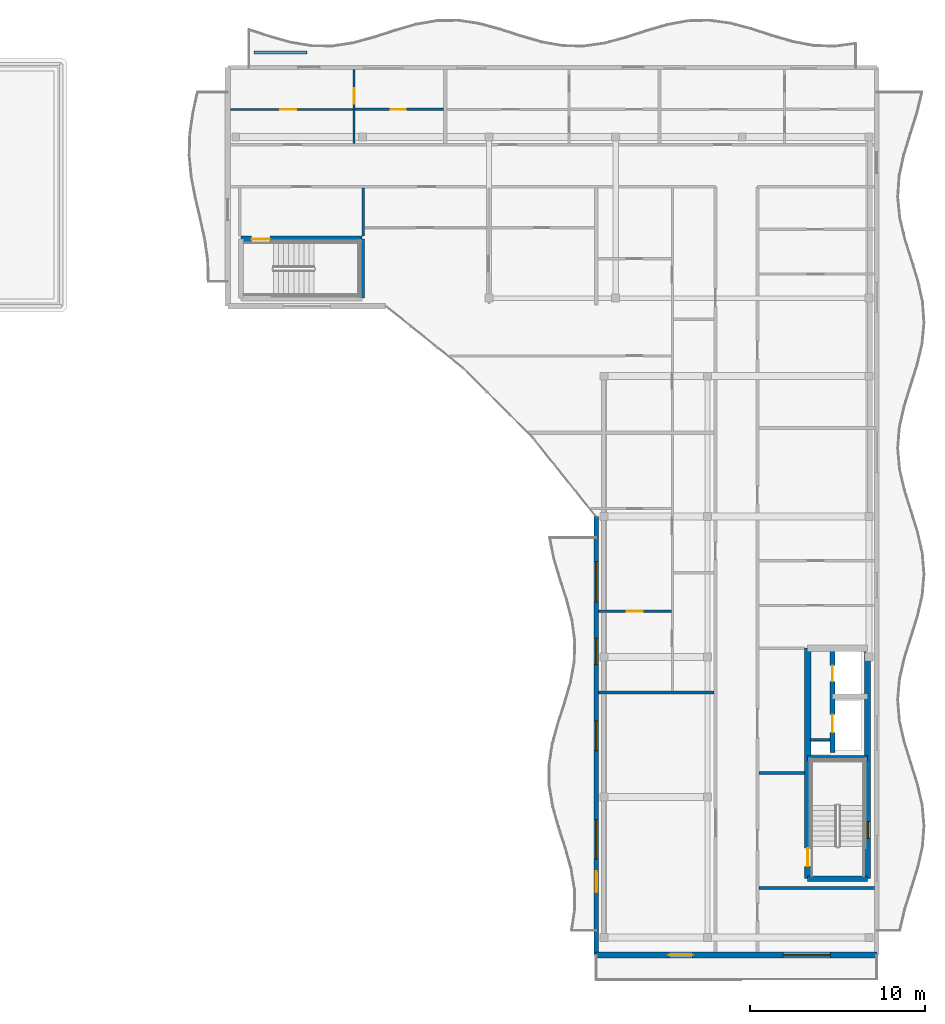
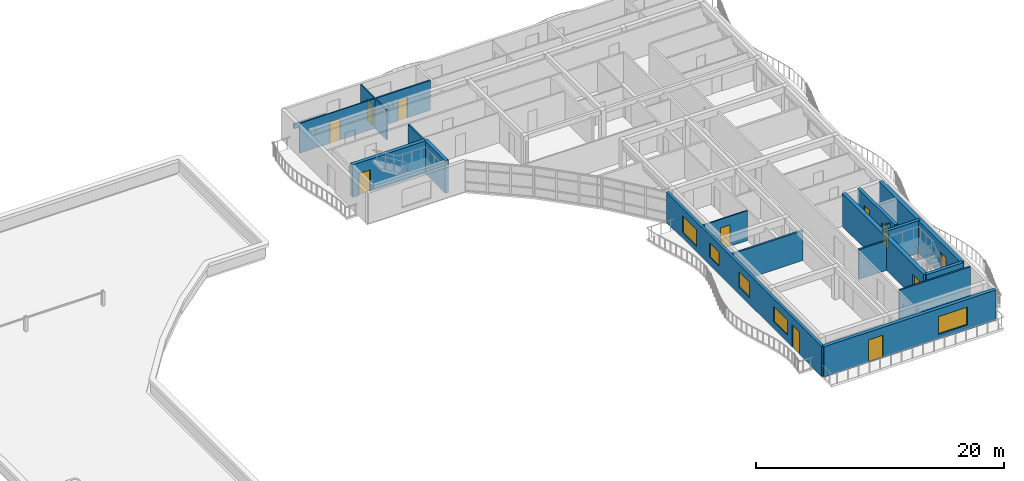
# One storey, part 10 of 18: 19 walls, 10 doors, 6 windows, 16 openings.
"""IFC4 building model written with IfcOpenShell, lengths in metres."""

from ifc_helpers import new_model, si_unit, direction, frame, frame_2d, origin, place, context, subcontext, project, spatial, rectangle, extrude, material, layer, layer_set, type_object, element, fill, save


model = new_model("IFC4")

# Units and contexts
model_context = context("Model", 3, precision=1e-05, world=origin(), true_north=direction((0.0, 1.0)))
body_context = subcontext(model_context, "Body", "Model", "MODEL_VIEW")
ifc_project = project(units=[si_unit("LENGTHUNIT", "METRE"), si_unit("AREAUNIT", "SQUARE_METRE"), si_unit("VOLUMEUNIT", "CUBIC_METRE"), si_unit("PLANEANGLEUNIT", "RADIAN"), si_unit("MASSUNIT", "GRAM", prefix="KILO")], contexts=[model_context])

# Site, building, storey
site_placement = place(None, origin())
site = spatial("IfcSite", under=ifc_project, at=site_placement, CompositionType="ELEMENT")
building_placement = place(site_placement, origin())
building = spatial("IfcBuilding", under=site, at=building_placement, Name="Keldmere Railside Commons", CompositionType="ELEMENT")
storey_placement = place(building_placement, frame((0.0, 0.0, 39.360107421875)))
storey = spatial("IfcBuildingStorey", under=building, at=storey_placement, Name="L12", CompositionType="ELEMENT", Elevation=39.360107421875)

# Wall
ifc_material_1 = material(Name="Acoustic Gypsum Board Partition", Category="gypsum")
ifc_layer_1 = layer(ifc_material_1, 0.179931640625, Name="Acoustic Demising Partition 180")
ifc_layer_set_1 = layer_set([ifc_layer_1], Name="Acoustic Gypsum Board Partition")
wall_type_1 = type_object("IfcWallType", Name="Acoustic Demising Partition 180", PredefinedType="PARTITIONING", material=ifc_layer_set_1)
wall_1_placement = place(storey_placement, frame((168.1201171875, 77.969970703125, 0.0), z_axis=(0.0, 0.0, 1.0), x_axis=(1.0, 0.0, 0.0)))
element("IfcWall", 1, at=wall_1_placement, inside=storey, type_object=wall_type_1, Name="IW-1 IW-L12-1903", PredefinedType="PARTITIONING", context=body_context, shape_type="SweptSolid", body=[
    extrude(rectangle(XDim=6.599853515625, YDim=0.179931640625, at=frame_2d((3.2998046875, 0.0))), origin(), (0.0, 0.0, 1.0), 2.934814453125),
])

# Wall, opening, door
ifc_layer_2 = layer(ifc_material_1, 0.1201171875, Name="Apartment Interior Partition 120")
ifc_layer_set_2 = layer_set([ifc_layer_2], Name="Acoustic Gypsum Board Partition")
wall_type_2 = type_object("IfcWallType", Name="Apartment Interior Partition 120", PredefinedType="PARTITIONING", material=ifc_layer_set_2)
wall_2_placement = place(storey_placement, frame((168.1201171875, 82.60009765625, 0.0), z_axis=(0.0, 0.0, 1.0), x_axis=(1.0, 0.0, 0.0)))
wall_2 = element("IfcWall", 2, at=wall_2_placement, inside=storey, type_object=wall_type_2, Name="IW-4 IW-L12-1907", PredefinedType="PARTITIONING", context=body_context, shape_type="SweptSolid", body=[
    extrude(rectangle(XDim=4.159912109375, YDim=0.1201171875, at=frame_2d((2.080078125, 0.0))), origin(), (0.0, 0.0, 1.0), 2.934814453125),
])
opening_1_placement = place(wall_2_placement, frame((1.6298828125, 0.0, 0.0)))
opening_1 = element("IfcOpeningElement", 3, at=opening_1_placement, cuts=wall_2, Name="Opening ID-01", PredefinedType="OPENING", context=body_context, shape_type="SweptSolid", body=[
    extrude(rectangle(XDim=0.89990234375, YDim=2.10009765625, at=frame_2d((0.449951171875, 1.050048828125))), frame((0.0, 0.070068359375, 0.0), z_axis=(0.0, -1.0, 0.0), x_axis=(1.0, 0.0, 0.0)), (0.0, 0.0, 1.0), 0.14013671875),
])
ifc_material_2 = material(Name="Engineered Oak Timber", Category="wood")
door_type_1 = type_object("IfcDoorType", Name="Primary Bedroom Door 900x2100", OperationType="NOTDEFINED", PredefinedType="DOOR", material=ifc_material_2)
door_1_placement = place(opening_1_placement, origin())
door_1 = element("IfcDoor", 4, at=door_1_placement, inside=storey, type_object=door_type_1, Name="ID-01 IDR-L12-1745", OperationType="SINGLE_SWING_LEFT", OverallHeight=2.10009765625, OverallWidth=0.89990234375, PredefinedType="DOOR", context=body_context, shape_type="SweptSolid", body=[
    extrude(rectangle(XDim=0.89990234375, YDim=2.10009765625, at=frame_2d((0.449951171875, 1.050048828125))), frame((0.0, 0.02490234375, 0.0), z_axis=(0.0, -1.0, 0.0), x_axis=(1.0, 0.0, 0.0)), (0.0, 0.0, 1.0), 0.050048828125),
])
fill(opening_1, door_1)

wall_3_placement = place(storey_placement, frame((154.199951171875, 109.280029296875, 0.0), z_axis=(0.0, 0.0, 1.0), x_axis=(0.0, 1.0, 0.0)))
wall_3 = element("IfcWall", 5, at=wall_3_placement, inside=storey, type_object=wall_type_2, Name="IW-4 IW-L12-1915", PredefinedType="PARTITIONING", context=body_context, shape_type="SweptSolid", body=[
    extrude(rectangle(XDim=4.199951171875, YDim=0.1201171875, at=frame_2d((2.10009765625, 0.0))), origin(), (0.0, 0.0, 1.0), 2.934814453125),
])
opening_2_placement = place(wall_3_placement, frame((2.267578125, 0.0, 0.0)))
opening_2 = element("IfcOpeningElement", 6, at=opening_2_placement, cuts=wall_3, Name="Opening ID-04", PredefinedType="OPENING", context=body_context, shape_type="SweptSolid", body=[
    extrude(rectangle(XDim=0.860107421875, YDim=2.10009765625, at=frame_2d((0.43017578125, 1.050048828125))), frame((0.0, 0.070068359375, 0.0), z_axis=(0.0, -1.0, 0.0), x_axis=(1.0, 0.0, 0.0)), (0.0, 0.0, 1.0), 0.14013671875),
])
door_type_2 = type_object("IfcDoorType", Name="Apartment Bathroom Door 860x2100", OperationType="NOTDEFINED", PredefinedType="DOOR", material=ifc_material_2)
door_2_placement = place(opening_2_placement, origin())
door_2 = element("IfcDoor", 7, at=door_2_placement, inside=storey, type_object=door_type_2, Name="ID-04 IDR-L12-1754", OperationType="SINGLE_SWING_RIGHT", OverallHeight=2.10009765625, OverallWidth=0.860107421875, PredefinedType="DOOR", context=body_context, shape_type="SweptSolid", body=[
    extrude(rectangle(XDim=0.860107421875, YDim=2.10009765625, at=frame_2d((0.43017578125, 1.050048828125))), frame((0.0, 0.02490234375, 0.0), z_axis=(0.0, -1.0, 0.0), x_axis=(1.0, 0.0, 0.0)), (0.0, 0.0, 1.0), 0.050048828125),
])
fill(opening_2, door_2)

# Wall
ifc_material_3 = material(Name="White Precast Concrete H-35 (C35/45)", Category="concrete")
ifc_layer_3 = layer(ifc_material_3, 0.169921875, Name="Balcony Planter Kerb Wall 170")
ifc_layer_set_3 = layer_set([ifc_layer_3], Name="White Precast Concrete H-35 (C35/45)")
wall_type_3 = type_object("IfcWallType", Name="Balcony Planter Kerb Wall 170", PredefinedType="PARAPET", material=ifc_layer_set_3)
wall_4_placement = place(storey_placement, frame((148.5, 114.449951171875, 0.0), z_axis=(0.0, 0.0, 1.0), x_axis=(1.0, 0.0, 0.0)))
element("IfcWall", 8, at=wall_4_placement, inside=storey, type_object=wall_type_3, Name="PW-2 PKBA-L12-0964", PredefinedType="PARAPET", context=body_context, shape_type="SweptSolid", body=[
    extrude(rectangle(XDim=3.0, YDim=0.169921875, at=frame_2d((1.5, 0.0))), origin(), (0.0, 0.0, 1.0), 0.449951171875),
])

# Wall, opening, door
ifc_layer_4 = layer(ifc_material_1, 0.10009765625, Name="Closet Light Partition 100")
ifc_layer_set_4 = layer_set([ifc_layer_4], Name="Acoustic Gypsum Board Partition")
wall_type_4 = type_object("IfcWallType", Name="Closet Light Partition 100", PredefinedType="PARTITIONING", material=ifc_layer_set_4)
wall_5_placement = place(storey_placement, frame((147.159912109375, 111.2099609375, 0.0), z_axis=(0.0, 0.0, 1.0), x_axis=(1.0, 0.0, 0.0)))
wall_5 = element("IfcWall", 9, at=wall_5_placement, inside=storey, type_object=wall_type_4, Name="IW-6 IW-L12-1917", PredefinedType="PARTITIONING", context=body_context, shape_type="SweptSolid", body=[
    extrude(rectangle(XDim=6.97998046875, YDim=0.10009765625, at=frame_2d((3.489990234375, 0.0))), origin(), (0.0, 0.0, 1.0), 2.934814453125),
])
opening_3_placement = place(wall_5_placement, frame((2.81591796875, 0.0, 0.0)))
opening_3 = element("IfcOpeningElement", 10, at=opening_3_placement, cuts=wall_5, Name="Opening ID-03", PredefinedType="OPENING", context=body_context, shape_type="SweptSolid", body=[
    extrude(rectangle(XDim=0.919921875, YDim=2.10009765625, at=frame_2d((0.4599609375, 1.050048828125))), frame((0.0, 0.06005859375, 0.0), z_axis=(0.0, -1.0, 0.0), x_axis=(1.0, 0.0, 0.0)), (0.0, 0.0, 1.0), 0.1201171875),
])
door_type_3 = type_object("IfcDoorType", Name="Kitchen Pocket-Frame Swing Door 920x2100", OperationType="NOTDEFINED", PredefinedType="DOOR", material=ifc_material_2)
door_3_placement = place(opening_3_placement, origin())
door_3 = element("IfcDoor", 11, at=door_3_placement, inside=storey, type_object=door_type_3, Name="ID-03 IDR-L12-1753", OperationType="SINGLE_SWING_LEFT", OverallHeight=2.10009765625, OverallWidth=0.919921875, PredefinedType="DOOR", context=body_context, shape_type="SweptSolid", body=[
    extrude(rectangle(XDim=0.919921875, YDim=2.10009765625, at=frame_2d((0.4599609375, 1.050048828125))), frame((0.0, 0.02490234375, 0.0), z_axis=(0.0, -1.0, 0.0), x_axis=(1.0, 0.0, 0.0)), (0.0, 0.0, 1.0), 0.050048828125),
])
fill(opening_3, door_3)

# Wall
ifc_material_4 = material(Name="Concrete H-35 (C35/45)", Category="concrete")
ifc_layer_5 = layer(ifc_material_4, 0.280029296875, Name="Core Shear Wall 280")
ifc_layer_set_5 = layer_set([ifc_layer_5], Name="Concrete H-35 (C35/45)")
wall_type_5 = type_object("IfcWallType", Name="Core Shear Wall 280", PredefinedType="SHEAR", material=ifc_layer_set_5)
wall_6_placement = place(storey_placement, frame((180.06005859375, 74.239990234375, 0.0), z_axis=(0.0, 0.0, 1.0), x_axis=(1.0, 0.0, 0.0)))
element("IfcWall", 12, at=wall_6_placement, inside=storey, type_object=wall_type_5, Name="CSW-2 COREAM-L12-0856", PredefinedType="SHEAR", context=body_context, shape_type="SweptSolid", body=[
    extrude(rectangle(XDim=3.409912109375, YDim=0.280029296875, at=frame_2d((1.705078125, 0.0))), origin(), (0.0, 0.0, 1.0), 3.199951171875),
])

# Wall, openings, doors
wall_7_placement = place(storey_placement, frame((181.469970703125, 74.550048828125, 0.0), z_axis=(0.0, 0.0, 1.0), x_axis=(0.0, 1.0, 0.0)))
wall_7 = element("IfcWall", 13, at=wall_7_placement, inside=storey, type_object=wall_type_5, Name="CSW-2 LSHA-L12-0858", PredefinedType="SHEAR", context=body_context, shape_type="SweptSolid", body=[
    extrude(rectangle(XDim=5.949951171875, YDim=0.280029296875, at=frame_2d((2.97509765625, 0.0))), origin(), (0.0, 0.0, 1.0), 3.199951171875),
])
opening_4_placement = place(wall_7_placement, frame((1.14990234375, 0.0, 0.0)))
opening_4 = element("IfcOpeningElement", 14, at=opening_4_placement, cuts=wall_7, Name="Opening LD-1", PredefinedType="OPENING", context=body_context, shape_type="SweptSolid", body=[
    extrude(rectangle(XDim=1.0, YDim=2.14990234375, at=frame_2d((0.5, 1.074951171875))), frame((0.0, 0.14990234375, 0.0), z_axis=(0.0, -1.0, 0.0), x_axis=(1.0, 0.0, 0.0)), (0.0, 0.0, 1.0), 0.300048828125),
])
opening_5_placement = place(wall_7_placement, frame((4.050048828125, 0.0, 0.0)))
opening_5 = element("IfcOpeningElement", 15, at=opening_5_placement, cuts=wall_7, Name="Opening LD-2", PredefinedType="OPENING", context=body_context, shape_type="SweptSolid", body=[
    extrude(rectangle(XDim=0.89990234375, YDim=2.14990234375, at=frame_2d((0.449951171875, 1.074951171875))), frame((0.0, 0.14990234375, 0.0), z_axis=(0.0, -1.0, 0.0), x_axis=(1.0, 0.0, 0.0)), (0.0, 0.0, 1.0), 0.300048828125),
])
ifc_material_5 = material(Name="Steel F-24 (S235)", Category="steel")
door_type_4 = type_object("IfcDoorType", Name="Firefighting Stretcher Lift Landing Door 1000x2150", OperationType="SLIDING_TO_LEFT", PredefinedType="DOOR", material=ifc_material_5)
door_4_placement = place(opening_4_placement, origin())
door_4 = element("IfcDoor", 16, at=door_4_placement, inside=storey, type_object=door_type_4, Name="LD-1 A L12", OperationType="SLIDING_TO_LEFT", OverallHeight=2.14990234375, OverallWidth=1.0, PredefinedType="DOOR", context=body_context, shape_type="SweptSolid", body=[
    extrude(rectangle(XDim=1.0, YDim=2.14990234375, at=frame_2d((0.5, 1.074951171875))), frame((0.0, 0.02490234375, 0.0), z_axis=(0.0, -1.0, 0.0), x_axis=(1.0, 0.0, 0.0)), (0.0, 0.0, 1.0), 0.050048828125),
])
fill(opening_4, door_4)
door_type_5 = type_object("IfcDoorType", Name="Passenger Lift Sliding Landing Door 900x2150", OperationType="SLIDING_TO_RIGHT", PredefinedType="DOOR", material=ifc_material_5)
door_5_placement = place(opening_5_placement, origin())
door_5 = element("IfcDoor", 17, at=door_5_placement, inside=storey, type_object=door_type_5, Name="LD-2 A L12", OperationType="SLIDING_TO_RIGHT", OverallHeight=2.14990234375, OverallWidth=0.89990234375, PredefinedType="DOOR", context=body_context, shape_type="SweptSolid", body=[
    extrude(rectangle(XDim=0.89990234375, YDim=2.14990234375, at=frame_2d((0.449951171875, 1.074951171875))), frame((0.0, 0.02490234375, 0.0), z_axis=(0.0, -1.0, 0.0), x_axis=(1.0, 0.0, 0.0)), (0.0, 0.0, 1.0), 0.050048828125),
])
fill(opening_5, door_5)

# Wall, opening, door
ifc_material_6 = material(Name="Concrete H-40 (C40/50)", Category="concrete")
ifc_layer_6 = layer(ifc_material_6, 0.3798828125, Name="Core Shear Wall 380")
ifc_layer_set_6 = layer_set([ifc_layer_6], Name="Concrete H-40 (C40/50)")
wall_type_6 = type_object("IfcWallType", Name="Core Shear Wall 380", PredefinedType="SHEAR", material=ifc_layer_set_6)
wall_8_placement = place(storey_placement, frame((180.06005859375, 67.35009765625, 0.0), z_axis=(0.0, 0.0, 1.0), x_axis=(0.0, 1.0, 0.0)))
wall_8 = element("IfcWall", 18, at=wall_8_placement, inside=storey, type_object=wall_type_6, Name="CW-CORE COREAW-L12-0852", PredefinedType="SHEAR", context=body_context, shape_type="SweptSolid", body=[
    extrude(rectangle(XDim=13.14990234375, YDim=0.3798828125, at=frame_2d((6.574951171875, 0.0))), origin(), (0.0, 0.0, 1.0), 3.199951171875),
])
opening_6_placement = place(wall_8_placement, frame((0.699951171875, 0.0, 0.0)))
opening_6 = element("IfcOpeningElement", 19, at=opening_6_placement, cuts=wall_8, Name="Opening FD-1", PredefinedType="OPENING", context=body_context, shape_type="SweptSolid", body=[
    extrude(rectangle(XDim=1.050048828125, YDim=2.14990234375, at=frame_2d((0.52490234375, 1.074951171875))), frame((0.0, 0.199951171875, 0.0), z_axis=(0.0, -1.0, 0.0), x_axis=(1.0, 0.0, 0.0)), (0.0, 0.0, 1.0), 0.39990234375),
])
door_type_6 = type_object("IfcDoorType", Name="Stair Core Fire Door 1050x2150", OperationType="NOTDEFINED", PredefinedType="DOOR", material=ifc_material_5)
door_6_placement = place(opening_6_placement, origin())
door_6 = element("IfcDoor", 20, at=door_6_placement, inside=storey, type_object=door_type_6, Name="FD-1 A1 L12", OperationType="SINGLE_SWING_LEFT", OverallHeight=2.14990234375, OverallWidth=1.050048828125, PredefinedType="DOOR", context=body_context, shape_type="SweptSolid", body=[
    extrude(rectangle(XDim=1.050048828125, YDim=2.14990234375, at=frame_2d((0.52490234375, 1.074951171875))), frame((0.0, 0.02490234375, 0.0), z_axis=(0.0, -1.0, 0.0), x_axis=(1.0, 0.0, 0.0)), (0.0, 0.0, 1.0), 0.050048828125),
])
fill(opening_6, door_6)

# Wall, openings, door, window
ifc_layer_7 = layer(ifc_material_4, 0.320068359375, Name="Exterior Shear Wall 320")
ifc_layer_set_7 = layer_set([ifc_layer_7], Name="Concrete H-35 (C35/45)")
wall_type_7 = type_object("IfcWallType", Name="Exterior Shear Wall 320", PredefinedType="SHEAR", material=ifc_layer_set_7)
wall_9_placement = place(storey_placement, frame((184.0, 63.0, 0.0), z_axis=(0.0, 0.0, 1.0), x_axis=(-1.0, 0.0, 0.0)))
wall_9 = element("IfcWall", 21, at=wall_9_placement, inside=storey, type_object=wall_type_7, Name="ESW-2 EXTA-L12-0958", PredefinedType="SHEAR", context=body_context, shape_type="SweptSolid", body=[
    extrude(rectangle(XDim=16.0, YDim=0.320068359375, at=frame_2d((8.0, 0.0))), origin(), (0.0, 0.0, 1.0), 2.97998046875),
])
opening_7_placement = place(wall_9_placement, frame((10.5, 0.0, 0.0)))
opening_7 = element("IfcOpeningElement", 22, at=opening_7_placement, cuts=wall_9, Name="Opening BD-03", PredefinedType="OPENING", context=body_context, shape_type="SweptSolid", body=[
    extrude(rectangle(XDim=1.35009765625, YDim=2.199951171875, at=frame_2d((0.675048828125, 1.10009765625))), frame((0.0, 0.169921875, 0.0), z_axis=(0.0, -1.0, 0.0), x_axis=(1.0, 0.0, 0.0)), (0.0, 0.0, 1.0), 0.340087890625),
])
opening_8_placement = place(wall_9_placement, frame((2.64990234375, 0.0, 0.469970703125)))
opening_8 = element("IfcOpeningElement", 23, at=opening_8_placement, cuts=wall_9, Name="Opening WN-19", PredefinedType="OPENING", context=body_context, shape_type="SweptSolid", body=[
    extrude(rectangle(XDim=2.699951171875, YDim=1.75, at=frame_2d((1.35009765625, 0.875))), frame((0.0, 0.169921875, 0.0), z_axis=(0.0, -1.0, 0.0), x_axis=(1.0, 0.0, 0.0)), (0.0, 0.0, 1.0), 0.340087890625),
])
ifc_material_7 = material(Name="Thermally Broken Aluminium", Category="aluminium")
door_type_7 = type_object("IfcDoorType", Name="Planted Roof-Terrace Lounge Door 1350x2200", OperationType="NOTDEFINED", PredefinedType="DOOR", material=ifc_material_7)
door_7_placement = place(opening_7_placement, origin())
door_7 = element("IfcDoor", 24, at=door_7_placement, inside=storey, type_object=door_type_7, Name="BD-03 DR-L12-0285", OperationType="SINGLE_SWING_LEFT", OverallHeight=2.199951171875, OverallWidth=1.35009765625, PredefinedType="DOOR", context=body_context, shape_type="SweptSolid", body=[
    extrude(rectangle(XDim=1.35009765625, YDim=2.199951171875, at=frame_2d((0.675048828125, 1.10009765625))), frame((0.0, 0.02490234375, 0.0), z_axis=(0.0, -1.0, 0.0), x_axis=(1.0, 0.0, 0.0)), (0.0, 0.0, 1.0), 0.050048828125),
])
fill(opening_7, door_7)
ifc_material_8 = material(Name="Low-E Insulated Double Glazing", Category="glass")
window_type_1 = type_object("IfcWindowType", Name="Resident Lounge Panorama Window 2700x1750", PartitioningType="SINGLE_PANEL", PredefinedType="WINDOW", material=ifc_material_8)
window_1_placement = place(opening_8_placement, origin())
window_1 = element("IfcWindow", 25, at=window_1_placement, inside=storey, type_object=window_type_1, Name="WN-19 WIN-L12-0787", OverallHeight=1.75, OverallWidth=2.699951171875, PartitioningType="SINGLE_PANEL", PredefinedType="WINDOW", context=body_context, shape_type="SweptSolid", body=[
    extrude(rectangle(XDim=2.699951171875, YDim=1.75, at=frame_2d((1.35009765625, 0.875))), frame((0.0, 0.030029296875, 0.0), z_axis=(0.0, -1.0, 0.0), x_axis=(1.0, 0.0, 0.0)), (0.0, 0.0, 1.0), 0.06005859375),
])
fill(opening_8, window_1)

# Walls
ifc_layer_8 = layer(ifc_material_4, 0.300048828125, Name="Interior Shear Wall 300")
ifc_layer_set_8 = layer_set([ifc_layer_8], Name="Concrete H-35 (C35/45)")
wall_type_8 = type_object("IfcWallType", Name="Interior Shear Wall 300", PredefinedType="SHEAR", material=ifc_layer_set_8)
wall_10_placement = place(storey_placement, frame((183.469970703125, 67.35009765625, 0.0), z_axis=(0.0, 0.0, 1.0), x_axis=(-1.0, 0.0, 0.0)))
element("IfcWall", 26, at=wall_10_placement, inside=storey, type_object=wall_type_8, Name="ISW-2 COREAS-L12-0855", PredefinedType="SHEAR", context=body_context, shape_type="SweptSolid", body=[
    extrude(rectangle(XDim=3.409912109375, YDim=0.300048828125, at=frame_2d((1.705078125, 0.0))), origin(), (0.0, 0.0, 1.0), 3.199951171875),
])
wall_11_placement = place(storey_placement, frame((154.64990234375, 100.449951171875, 0.0), z_axis=(0.0, 0.0, 1.0), x_axis=(0.0, 1.0, 0.0)))
element("IfcWall", 27, at=wall_11_placement, inside=storey, type_object=wall_type_8, Name="ISW-2 COREA2E-L12-0863", PredefinedType="SHEAR", context=body_context, shape_type="SweptSolid", body=[
    extrude(rectangle(XDim=3.3701171875, YDim=0.300048828125, at=frame_2d((1.68505859375, 0.0))), origin(), (0.0, 0.0, 1.0), 3.199951171875),
])

# Wall, opening, window
ifc_layer_9 = layer(ifc_material_4, 0.340087890625, Name="Interior Shear Wall 340")
ifc_layer_set_9 = layer_set([ifc_layer_9], Name="Concrete H-35 (C35/45)")
wall_type_9 = type_object("IfcWallType", Name="Interior Shear Wall 340", PredefinedType="SHEAR", material=ifc_layer_set_9)
wall_12_placement = place(storey_placement, frame((183.469970703125, 80.5, 0.0), z_axis=(0.0, 0.0, 1.0), x_axis=(0.0, -1.0, 0.0)))
wall_12 = element("IfcWall", 28, at=wall_12_placement, inside=storey, type_object=wall_type_9, Name="ISW-1 COREAE-L12-0854", PredefinedType="SHEAR", context=body_context, shape_type="SweptSolid", body=[
    extrude(rectangle(XDim=13.14990234375, YDim=0.340087890625, at=frame_2d((6.574951171875, 0.0))), origin(), (0.0, 0.0, 1.0), 3.199951171875),
])
opening_9_placement = place(wall_12_placement, frame((9.89990234375, 0.0, 0.969970703125)))
opening_9 = element("IfcOpeningElement", 29, at=opening_9_placement, cuts=wall_12, Name="Opening WN-17", PredefinedType="OPENING", context=body_context, shape_type="SweptSolid", body=[
    extrude(rectangle(XDim=0.949951171875, YDim=1.25, at=frame_2d((0.47509765625, 0.625))), frame((0.0, 0.179931640625, 0.0), z_axis=(0.0, -1.0, 0.0), x_axis=(1.0, 0.0, 0.0)), (0.0, 0.0, 1.0), 0.360107421875),
])
window_type_2 = type_object("IfcWindowType", Name="Stair Core Natural Smoke-Vent Window 950x1250", PartitioningType="SINGLE_PANEL", PredefinedType="WINDOW", material=ifc_material_8)
window_2_placement = place(opening_9_placement, origin())
window_2 = element("IfcWindow", 30, at=window_2_placement, inside=storey, type_object=window_type_2, Name="WN-17 WIN-L12-0568", OverallHeight=1.25, OverallWidth=0.949951171875, PartitioningType="SINGLE_PANEL", PredefinedType="WINDOW", context=body_context, shape_type="SweptSolid", body=[
    extrude(rectangle(XDim=0.949951171875, YDim=1.25, at=frame_2d((0.47509765625, 0.625))), frame((0.0, 0.030029296875, 0.0), z_axis=(0.0, -1.0, 0.0), x_axis=(1.0, 0.0, 0.0)), (0.0, 0.0, 1.0), 0.06005859375),
])
fill(opening_9, window_2)

# Wall, opening, door
wall_13_placement = place(storey_placement, frame((154.64990234375, 103.820068359375, 0.0), z_axis=(0.0, 0.0, 1.0), x_axis=(-1.0, 0.0, 0.0)))
wall_13 = element("IfcWall", 31, at=wall_13_placement, inside=storey, type_object=wall_type_9, Name="ISW-1 COREA2N-L12-0861", PredefinedType="SHEAR", context=body_context, shape_type="SweptSolid", body=[
    extrude(rectangle(XDim=6.89990234375, YDim=0.340087890625, at=frame_2d((3.449951171875, 0.0))), origin(), (0.0, 0.0, 1.0), 3.199951171875),
])
opening_10_placement = place(wall_13_placement, frame((5.25, 0.0, 0.0)))
opening_10 = element("IfcOpeningElement", 32, at=opening_10_placement, cuts=wall_13, Name="Opening FD-1", PredefinedType="OPENING", context=body_context, shape_type="SweptSolid", body=[
    extrude(rectangle(XDim=1.050048828125, YDim=2.14990234375, at=frame_2d((0.52490234375, 1.074951171875))), frame((0.0, 0.179931640625, 0.0), z_axis=(0.0, -1.0, 0.0), x_axis=(1.0, 0.0, 0.0)), (0.0, 0.0, 1.0), 0.360107421875),
])
door_8_placement = place(opening_10_placement, origin())
door_8 = element("IfcDoor", 33, at=door_8_placement, inside=storey, type_object=door_type_6, Name="FD-1 A2 L12", OperationType="SINGLE_SWING_RIGHT", OverallHeight=2.14990234375, OverallWidth=1.050048828125, PredefinedType="DOOR", context=body_context, shape_type="SweptSolid", body=[
    extrude(rectangle(XDim=1.050048828125, YDim=2.14990234375, at=frame_2d((0.52490234375, 1.074951171875))), frame((0.0, 0.02490234375, 0.0), z_axis=(0.0, -1.0, 0.0), x_axis=(1.0, 0.0, 0.0)), (0.0, 0.0, 1.0), 0.050048828125),
])
fill(opening_10, door_8)

# Walls
ifc_layer_10 = layer(ifc_material_1, 0.14990234375, Name="Lobby Rated Partition 150")
ifc_layer_set_10 = layer_set([ifc_layer_10], Name="Acoustic Gypsum Board Partition")
wall_type_10 = type_object("IfcWallType", Name="Lobby Rated Partition 150", PredefinedType="PARTITIONING", material=ifc_layer_set_10)
wall_14_placement = place(storey_placement, frame((180.199951171875, 75.280029296875, 0.0), z_axis=(0.0, 0.0, 1.0), x_axis=(1.0, 0.0, 0.0)))
element("IfcWall", 34, at=wall_14_placement, inside=storey, type_object=wall_type_10, Name="IW-3 RSRNA-L12-0859", PredefinedType="PARTITIONING", context=body_context, shape_type="SweptSolid", body=[
    extrude(rectangle(XDim=1.130126953125, YDim=0.14990234375, at=frame_2d((0.56494140625, 0.0))), origin(), (0.0, 0.0, 1.0), 2.949951171875),
])
wall_15_placement = place(storey_placement, frame((177.280029296875, 66.820068359375, 0.0), z_axis=(0.0, 0.0, 1.0), x_axis=(1.0, 0.0, 0.0)))
element("IfcWall", 35, at=wall_15_placement, inside=storey, type_object=wall_type_10, Name="IW-3 IW-L12-1892", PredefinedType="PARTITIONING", context=body_context, shape_type="SweptSolid", body=[
    extrude(rectangle(XDim=6.599853515625, YDim=0.14990234375, at=frame_2d((3.2998046875, 0.0))), origin(), (0.0, 0.0, 1.0), 2.934814453125),
])
wall_16_placement = place(storey_placement, frame((177.280029296875, 73.3798828125, 0.0), z_axis=(0.0, 0.0, 1.0), x_axis=(1.0, 0.0, 0.0)))
element("IfcWall", 36, at=wall_16_placement, inside=storey, type_object=wall_type_10, Name="IW-3 IW-L12-1893", PredefinedType="PARTITIONING", context=body_context, shape_type="SweptSolid", body=[
    extrude(rectangle(XDim=2.590087890625, YDim=0.14990234375, at=frame_2d((1.294921875, 0.0))), origin(), (0.0, 0.0, 1.0), 2.934814453125),
])
wall_17_placement = place(storey_placement, frame((154.719970703125, 103.989990234375, 0.0), z_axis=(0.0, 0.0, 1.0), x_axis=(0.0, 1.0, 0.0)))
element("IfcWall", 37, at=wall_17_placement, inside=storey, type_object=wall_type_10, Name="IW-3 IW-L12-1902", PredefinedType="PARTITIONING", context=body_context, shape_type="SweptSolid", body=[
    extrude(rectangle(XDim=2.72998046875, YDim=0.14990234375, at=frame_2d((1.364990234375, 0.0))), origin(), (0.0, 0.0, 1.0), 2.934814453125),
])

# Wall, openings, door, windows
ifc_material_9 = material(Name="Architectural Precast Concrete H-35 (C35/45)", Category="concrete")
ifc_layer_11 = layer(ifc_material_9, 0.239990234375, Name="Sand-Ochre Precast Cavity Wall 240")
ifc_layer_set_11 = layer_set([ifc_layer_11], Name="Architectural Precast Concrete H-35 (C35/45)")
wall_type_11 = type_object("IfcWallType", Name="Sand-Ochre Precast Cavity Wall 240", PredefinedType="SOLIDWALL", material=ifc_layer_set_11)
wall_18_placement = place(storey_placement, frame((168.0, 63.0, 0.0), z_axis=(0.0, 0.0, 1.0), x_axis=(0.0, 1.0, 0.0)))
wall_18 = element("IfcWall", 38, at=wall_18_placement, inside=storey, type_object=wall_type_11, Name="EW-2 EXTA-L12-0963", PredefinedType="SOLIDWALL", context=body_context, shape_type="SweptSolid", body=[
    extrude(rectangle(XDim=25.0, YDim=0.239990234375, at=frame_2d((12.5, 0.0))), origin(), (0.0, 0.0, 1.0), 2.97998046875),
])
opening_11_placement = place(wall_18_placement, frame((3.566650390625, 0.0, 0.0)))
opening_11 = element("IfcOpeningElement", 39, at=opening_11_placement, cuts=wall_18, Name="Opening BD-01", PredefinedType="OPENING", context=body_context, shape_type="SweptSolid", body=[
    extrude(rectangle(XDim=1.199951171875, YDim=2.199951171875, at=frame_2d((0.60009765625, 1.10009765625))), frame((0.0, 0.1298828125, 0.0), z_axis=(0.0, -1.0, 0.0), x_axis=(1.0, 0.0, 0.0)), (0.0, 0.0, 1.0), 0.260009765625),
])
opening_12_placement = place(wall_18_placement, frame((5.466796875, 0.0, 0.719970703125)))
opening_12 = element("IfcOpeningElement", 40, at=opening_12_placement, cuts=wall_18, Name="Opening WN-12", PredefinedType="OPENING", context=body_context, shape_type="SweptSolid", body=[
    extrude(rectangle(XDim=2.25, YDim=1.5, at=frame_2d((1.125, 0.75))), frame((0.0, 0.1298828125, 0.0), z_axis=(0.0, -1.0, 0.0), x_axis=(1.0, 0.0, 0.0)), (0.0, 0.0, 1.0), 0.260009765625),
])
opening_13_placement = place(wall_18_placement, frame((11.64990234375, 0.0, 0.719970703125)))
opening_13 = element("IfcOpeningElement", 41, at=opening_13_placement, cuts=wall_18, Name="Opening WN-20", PredefinedType="OPENING", context=body_context, shape_type="SweptSolid", body=[
    extrude(rectangle(XDim=1.699951171875, YDim=1.5, at=frame_2d((0.85009765625, 0.75))), frame((0.0, 0.1298828125, 0.0), z_axis=(0.0, -1.0, 0.0), x_axis=(1.0, 0.0, 0.0)), (0.0, 0.0, 1.0), 0.260009765625),
])
opening_14_placement = place(wall_18_placement, frame((20.13330078125, 0.0, 0.570068359375)))
opening_14 = element("IfcOpeningElement", 42, at=opening_14_placement, cuts=wall_18, Name="Opening WN-23", PredefinedType="OPENING", context=body_context, shape_type="SweptSolid", body=[
    extrude(rectangle(XDim=2.300048828125, YDim=1.64990234375, at=frame_2d((1.14990234375, 0.824951171875))), frame((0.0, 0.1298828125, 0.0), z_axis=(0.0, -1.0, 0.0), x_axis=(1.0, 0.0, 0.0)), (0.0, 0.0, 1.0), 0.260009765625),
])
opening_15_placement = place(wall_18_placement, frame((16.554931640625, 0.0, 0.820068359375)))
opening_15 = element("IfcOpeningElement", 43, at=opening_15_placement, cuts=wall_18, Name="Opening WN-06", PredefinedType="OPENING", context=body_context, shape_type="SweptSolid", body=[
    extrude(rectangle(XDim=1.5, YDim=1.39990234375, at=frame_2d((0.75, 0.699951171875))), frame((0.0, 0.1298828125, 0.0), z_axis=(0.0, -1.0, 0.0), x_axis=(1.0, 0.0, 0.0)), (0.0, 0.0, 1.0), 0.260009765625),
])
door_type_8 = type_object("IfcDoorType", Name="Apartment Living Wave-Balcony Glazed Door 1200x2200", OperationType="NOTDEFINED", PredefinedType="DOOR", material=ifc_material_7)
door_9_placement = place(opening_11_placement, origin())
door_9 = element("IfcDoor", 44, at=door_9_placement, inside=storey, type_object=door_type_8, Name="BD-01 DR-L12-0290", OperationType="SINGLE_SWING_RIGHT", OverallHeight=2.199951171875, OverallWidth=1.199951171875, PredefinedType="DOOR", context=body_context, shape_type="SweptSolid", body=[
    extrude(rectangle(XDim=1.199951171875, YDim=2.199951171875, at=frame_2d((0.60009765625, 1.10009765625))), frame((0.0, 0.02490234375, 0.0), z_axis=(0.0, -1.0, 0.0), x_axis=(1.0, 0.0, 0.0)), (0.0, 0.0, 1.0), 0.050048828125),
])
fill(opening_11, door_9)
window_type_3 = type_object("IfcWindowType", Name="Primary Bedroom North Window 1500x1400", PartitioningType="SINGLE_PANEL", PredefinedType="WINDOW", material=ifc_material_8)
window_3_placement = place(opening_15_placement, origin())
window_3 = element("IfcWindow", 45, at=window_3_placement, inside=storey, type_object=window_type_3, Name="WN-06 WIN-L12-9085", OverallHeight=1.39990234375, OverallWidth=1.5, PartitioningType="SINGLE_PANEL", PredefinedType="WINDOW", context=body_context, shape_type="SweptSolid", body=[
    extrude(rectangle(XDim=1.5, YDim=1.39990234375, at=frame_2d((0.75, 0.699951171875))), frame((0.0, 0.030029296875, 0.0), z_axis=(0.0, -1.0, 0.0), x_axis=(1.0, 0.0, 0.0)), (0.0, 0.0, 1.0), 0.06005859375),
])
fill(opening_15, window_3)
window_type_4 = type_object("IfcWindowType", Name="Setback Terrace Penthouse Window 2300x1650", PartitioningType="SINGLE_PANEL", PredefinedType="WINDOW", material=ifc_material_8)
window_4_placement = place(opening_14_placement, origin())
window_4 = element("IfcWindow", 46, at=window_4_placement, inside=storey, type_object=window_type_4, Name="WN-23 WIN-L12-0801", OverallHeight=1.64990234375, OverallWidth=2.300048828125, PartitioningType="SINGLE_PANEL", PredefinedType="WINDOW", context=body_context, shape_type="SweptSolid", body=[
    extrude(rectangle(XDim=2.300048828125, YDim=1.64990234375, at=frame_2d((1.14990234375, 0.824951171875))), frame((0.0, 0.030029296875, 0.0), z_axis=(0.0, -1.0, 0.0), x_axis=(1.0, 0.0, 0.0)), (0.0, 0.0, 1.0), 0.06005859375),
])
fill(opening_14, window_4)
window_type_5 = type_object("IfcWindowType", Name="Studio Court Ribbon Window 2250x1500", PartitioningType="SINGLE_PANEL", PredefinedType="WINDOW", material=ifc_material_8)
window_5_placement = place(opening_12_placement, origin())
window_5 = element("IfcWindow", 47, at=window_5_placement, inside=storey, type_object=window_type_5, Name="WN-12 WIN-L12-0799", OverallHeight=1.5, OverallWidth=2.25, PartitioningType="SINGLE_PANEL", PredefinedType="WINDOW", context=body_context, shape_type="SweptSolid", body=[
    extrude(rectangle(XDim=2.25, YDim=1.5, at=frame_2d((1.125, 0.75))), frame((0.0, 0.030029296875, 0.0), z_axis=(0.0, -1.0, 0.0), x_axis=(1.0, 0.0, 0.0)), (0.0, 0.0, 1.0), 0.06005859375),
])
fill(opening_12, window_5)
window_type_6 = type_object("IfcWindowType", Name="Study Room Quiet Casement Window 1700x1500", PartitioningType="SINGLE_PANEL", PredefinedType="WINDOW", material=ifc_material_8)
window_6_placement = place(opening_13_placement, origin())
window_6 = element("IfcWindow", 48, at=window_6_placement, inside=storey, type_object=window_type_6, Name="WN-20 WIN-L12-0800", OverallHeight=1.5, OverallWidth=1.699951171875, PartitioningType="SINGLE_PANEL", PredefinedType="WINDOW", context=body_context, shape_type="SweptSolid", body=[
    extrude(rectangle(XDim=1.699951171875, YDim=1.5, at=frame_2d((0.85009765625, 0.75))), frame((0.0, 0.030029296875, 0.0), z_axis=(0.0, -1.0, 0.0), x_axis=(1.0, 0.0, 0.0)), (0.0, 0.0, 1.0), 0.06005859375),
])
fill(opening_13, window_6)

# Wall, opening, door
ifc_layer_12 = layer(ifc_material_1, 0.139892578125, Name="Wet-Room Sanitary Partition 140")
ifc_layer_set_12 = layer_set([ifc_layer_12], Name="Acoustic Gypsum Board Partition")
wall_type_12 = type_object("IfcWallType", Name="Wet-Room Sanitary Partition 140", PredefinedType="PARTITIONING", material=ifc_layer_set_12)
wall_19_placement = place(storey_placement, frame((154.260009765625, 111.2099609375, 0.0), z_axis=(0.0, 0.0, 1.0), x_axis=(1.0, 0.0, 0.0)))
wall_19 = element("IfcWall", 49, at=wall_19_placement, inside=storey, type_object=wall_type_12, Name="IW-5 IW-L12-1916", PredefinedType="PARTITIONING", context=body_context, shape_type="SweptSolid", body=[
    extrude(rectangle(XDim=5.0400390625, YDim=0.139892578125, at=frame_2d((2.52001953125, 0.0))), origin(), (0.0, 0.0, 1.0), 2.934814453125),
])
opening_16_placement = place(wall_19_placement, frame((2.0400390625, 0.0, 0.0)))
opening_16 = element("IfcOpeningElement", 50, at=opening_16_placement, cuts=wall_19, Name="Opening ID-06", PredefinedType="OPENING", context=body_context, shape_type="SweptSolid", body=[
    extrude(rectangle(XDim=0.85009765625, YDim=2.050048828125, at=frame_2d((0.425048828125, 1.02490234375))), frame((0.0, 0.079833984375, 0.0), z_axis=(0.0, -1.0, 0.0), x_axis=(1.0, 0.0, 0.0)), (0.0, 0.0, 1.0), 0.159912109375),
])
door_type_9 = type_object("IfcDoorType", Name="Storage Closet Door 850x2050", OperationType="NOTDEFINED", PredefinedType="DOOR", material=ifc_material_2)
door_10_placement = place(opening_16_placement, origin())
door_10 = element("IfcDoor", 51, at=door_10_placement, inside=storey, type_object=door_type_9, Name="ID-06 IDR-L12-1755", OperationType="SINGLE_SWING_LEFT", OverallHeight=2.050048828125, OverallWidth=0.85009765625, PredefinedType="DOOR", context=body_context, shape_type="SweptSolid", body=[
    extrude(rectangle(XDim=0.85009765625, YDim=2.050048828125, at=frame_2d((0.425048828125, 1.02490234375))), frame((0.0, 0.02490234375, 0.0), z_axis=(0.0, -1.0, 0.0), x_axis=(1.0, 0.0, 0.0)), (0.0, 0.0, 1.0), 0.050048828125),
])
fill(opening_16, door_10)

save(model, "model.ifc")
